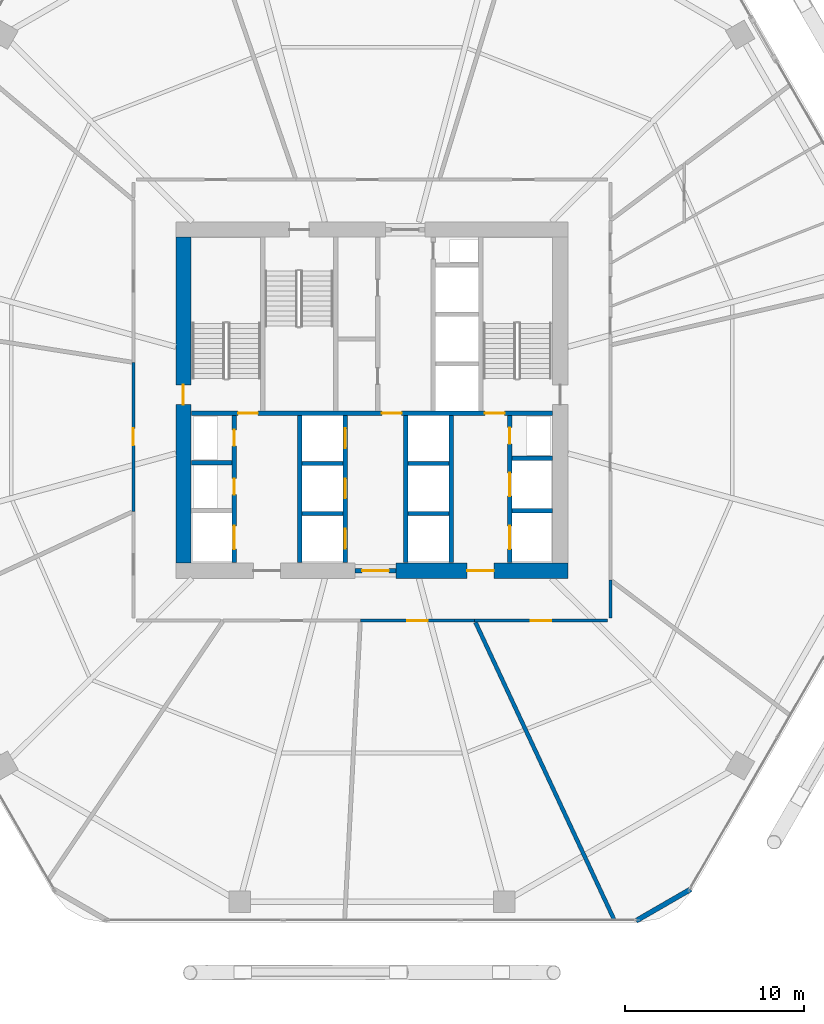
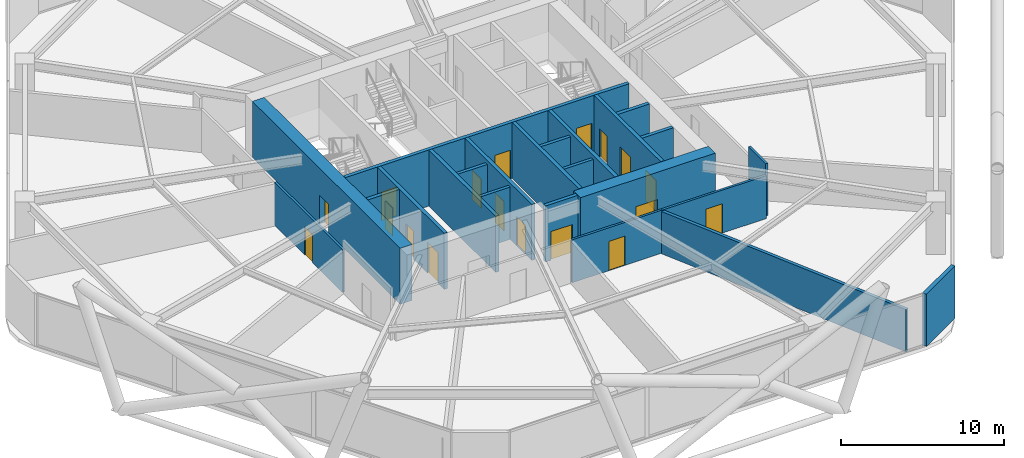
# One storey, part 25 of 28: 23 walls, 18 doors, 18 openings.
"""IFC4 building model written with IfcOpenShell, lengths in metres."""

from ifc_helpers import new_model, si_unit, direction, frame, frame_2d, origin, place, context, subcontext, project, spatial, rectangle, extrude, material, layer, layer_set, type_object, element, fill, save


model = new_model("IFC4")

# Units and contexts
model_context = context("Model", 3, precision=1e-05, world=origin(), true_north=direction((0.0, 1.0)))
body_context = subcontext(model_context, "Body", "Model", "MODEL_VIEW")
ifc_project = project(units=[si_unit("LENGTHUNIT", "METRE"), si_unit("AREAUNIT", "SQUARE_METRE"), si_unit("VOLUMEUNIT", "CUBIC_METRE"), si_unit("PLANEANGLEUNIT", "RADIAN"), si_unit("MASSUNIT", "GRAM", prefix="KILO")], contexts=[model_context])

# Site, building, storey
site_placement = place(None, origin())
site = spatial("IfcSite", under=ifc_project, at=site_placement, CompositionType="ELEMENT")
building_placement = place(site_placement, origin())
building = spatial("IfcBuilding", under=site, at=building_placement, Name="Zuhravey Tower", CompositionType="ELEMENT")
storey_placement = place(building_placement, frame((0.0, 0.0, 49.800048828125)))
storey = spatial("IfcBuildingStorey", under=building, at=storey_placement, Name="L12", CompositionType="ELEMENT", Elevation=49.800048828125)

# Wall, opening, door
ifc_material_1 = material(Name="Concrete C60/75", Category="concrete")
ifc_layer_1 = layer(ifc_material_1, 0.85009765625)
ifc_layer_set_1 = layer_set([ifc_layer_1], Name="Concrete C60/75")
wall_type_1 = type_object("IfcWallType", Name="Core Shear Wall 850", PredefinedType="SHEAR", material=ifc_layer_set_1)
wall_1_placement = place(storey_placement, frame((37.35009765625, 22.5, 0.0), z_axis=(0.0, 0.0, 1.0), x_axis=(1.0, 0.0, 0.0)))
wall_1 = element("IfcWall", 1, at=wall_1_placement, inside=storey, type_object=wall_type_1, Name="L12 South-East Core Shear Wall CW85", PredefinedType="SHEAR", context=body_context, shape_type="SweptSolid", body=[
    extrude(rectangle(XDim=9.574951171875, YDim=0.85009765625, at=frame_2d((4.78759765625, 0.0))), origin(), (0.0, 0.0, 1.0), 4.199951171875),
])
opening_1_placement = place(wall_1_placement, frame((3.949951171875, 0.0, 0.0)))
opening_1 = element("IfcOpeningElement", 2, at=opening_1_placement, cuts=wall_1, Name="Opening FFD1", PredefinedType="OPENING", context=body_context, shape_type="SweptSolid", body=[
    extrude(rectangle(XDim=1.5, YDim=2.14990234375, at=frame_2d((0.75, 1.074951171875))), frame((0.0, 0.43701171875, 0.0), z_axis=(0.0, -1.0, 0.0), x_axis=(1.0, 0.0, 0.0)), (0.0, 0.0, 1.0), 0.8740234375),
])
ifc_material_2 = material(Name="Galvanised fire-rated steel leaf", Category="steel")
door_type_1 = type_object("IfcDoorType", Name="Firefighting Lobby Double Door 1500x2150", OperationType="DOUBLE_DOOR_SINGLE_SWING", PredefinedType="DOOR", material=ifc_material_2)
door_1_placement = place(opening_1_placement, origin())
door_1 = element("IfcDoor", 3, at=door_1_placement, inside=storey, type_object=door_type_1, Name="L12 Firefighting Lobby East Door", OperationType="DOUBLE_DOOR_SINGLE_SWING", OverallHeight=2.14990234375, OverallWidth=1.5, PredefinedType="DOOR", context=body_context, shape_type="SweptSolid", body=[
    extrude(rectangle(XDim=1.5, YDim=2.14990234375, at=frame_2d((0.75, 1.074951171875))), frame((0.0, 0.02490234375, 0.0), z_axis=(0.0, -1.0, 0.0), x_axis=(1.0, 0.0, 0.0)), (0.0, 0.0, 1.0), 0.050048828125),
])
fill(opening_1, door_1)

wall_2_placement = place(storey_placement, frame((25.5, 22.925048828125, 0.0), z_axis=(0.0, 0.0, 1.0), x_axis=(0.0, 1.0, 0.0)))
wall_2 = element("IfcWall", 4, at=wall_2_placement, inside=storey, type_object=wall_type_1, Name="L12 West Core Shear Wall CW85", PredefinedType="SHEAR", context=body_context, shape_type="SweptSolid", body=[
    extrude(rectangle(XDim=18.14990234375, YDim=0.85009765625, at=frame_2d((9.074951171875, 0.0))), origin(), (0.0, 0.0, 1.0), 4.199951171875),
])
opening_2_placement = place(wall_2_placement, frame((8.824951171875, 0.0, 0.0)))
opening_2 = element("IfcOpeningElement", 5, at=opening_2_placement, cuts=wall_2, Name="Opening STD1", PredefinedType="OPENING", context=body_context, shape_type="SweptSolid", body=[
    extrude(rectangle(XDim=1.10009765625, YDim=2.14990234375, at=frame_2d((0.550048828125, 1.074951171875))), frame((0.0, 0.43701171875, 0.0), z_axis=(0.0, -1.0, 0.0), x_axis=(1.0, 0.0, 0.0)), (0.0, 0.0, 1.0), 0.8740234375),
])
door_type_2 = type_object("IfcDoorType", Name="Protected Stair Fire Door 1100x2150", OperationType="NOTDEFINED", PredefinedType="USERDEFINED", material=ifc_material_2)
door_2_placement = place(opening_2_placement, frame((1.10009765625, 0.0, 0.0), z_axis=(0.0, 0.0, 1.0), x_axis=(-1.0, 0.0, 0.0)))
door_2 = element("IfcDoor", 6, at=door_2_placement, inside=storey, type_object=door_type_2, Name="L12 Stair ST1 Door", ObjectType="EXITDOOR", OperationType="SINGLE_SWING_LEFT", OverallHeight=2.14990234375, OverallWidth=1.10009765625, PredefinedType="USERDEFINED", context=body_context, shape_type="SweptSolid", body=[
    extrude(rectangle(XDim=1.10009765625, YDim=2.14990234375, at=frame_2d((0.550048828125, 1.074951171875))), frame((0.0, 0.02490234375, 0.0), z_axis=(0.0, -1.0, 0.0), x_axis=(1.0, 0.0, 0.0)), (0.0, 0.0, 1.0), 0.050048828125),
])
fill(opening_2, door_2)

ifc_material_3 = material(Name="Gypsum fire-rated stud partition")
ifc_layer_2 = layer(ifc_material_3, 0.159912109375)
ifc_layer_set_2 = layer_set([ifc_layer_2], Name="Gypsum fire-rated stud partition")
wall_type_2 = type_object("IfcWallType", Name="Corridor Fire Partition 160", PredefinedType="PARTITIONING", material=ifc_layer_set_2)
wall_3_placement = place(storey_placement, frame((22.715087890625, 34.10400390625, 0.0), z_axis=(0.0, 0.0, 1.0), x_axis=(0.0, -1.0, 0.0)))
wall_3 = element("IfcWall", 7, at=wall_3_placement, inside=storey, type_object=wall_type_2, Name="L12 IW16 Partition 027", PredefinedType="PARTITIONING", context=body_context, shape_type="SweptSolid", body=[
    extrude(rectangle(XDim=8.298828125, YDim=0.159912109375, at=frame_2d((4.1494140625, 0.0))), origin(), (0.0, 0.0, 1.0), 3.219970703125),
])
opening_3_placement = place(wall_3_placement, frame((3.674560546875, 0.0, 0.0)))
opening_3 = element("IfcOpeningElement", 8, at=opening_3_placement, cuts=wall_3, Name="Opening IND1", PredefinedType="OPENING", context=body_context, shape_type="SweptSolid", body=[
    extrude(rectangle(XDim=0.949951171875, YDim=2.10009765625, at=frame_2d((0.47509765625, 1.050048828125))), frame((0.0, 0.092041015625, 0.0), z_axis=(0.0, -1.0, 0.0), x_axis=(1.0, 0.0, 0.0)), (0.0, 0.0, 1.0), 0.183837890625),
])
ifc_material_4 = material(Name="Painted engineered timber leaf", Category="wood")
door_type_3 = type_object("IfcDoorType", Name="Internal Room & Bedroom Door 950x2100", OperationType="NOTDEFINED", PredefinedType="DOOR", material=ifc_material_4)
door_3_placement = place(opening_3_placement, frame((0.949951171875, 0.0, 0.0), z_axis=(0.0, 0.0, 1.0), x_axis=(-1.0, 0.0, 0.0)))
door_3 = element("IfcDoor", 9, at=door_3_placement, inside=storey, type_object=door_type_3, Name="L12 Door 027.1", OperationType="SINGLE_SWING_LEFT", OverallHeight=2.10009765625, OverallWidth=0.949951171875, PredefinedType="DOOR", context=body_context, shape_type="SweptSolid", body=[
    extrude(rectangle(XDim=0.949951171875, YDim=2.10009765625, at=frame_2d((0.47509765625, 1.050048828125))), frame((0.0, 0.02490234375, 0.0), z_axis=(0.0, -1.0, 0.0), x_axis=(1.0, 0.0, 0.0)), (0.0, 0.0, 1.0), 0.050048828125),
])
fill(opening_3, door_3)

wall_4_placement = place(storey_placement, frame((35.356201171875, 19.715087890625, 0.0), z_axis=(0.0, 0.0, 1.0), x_axis=(1.0, 0.0, 0.0)))
wall_4 = element("IfcWall", 10, at=wall_4_placement, inside=storey, type_object=wall_type_2, Name="L12 IW16 Partition 030", PredefinedType="PARTITIONING", context=body_context, shape_type="SweptSolid", body=[
    extrude(rectangle(XDim=6.372314453125, YDim=0.159912109375, at=frame_2d((3.18603515625, 0.0))), origin(), (0.0, 0.0, 1.0), 3.219970703125),
])
opening_4_placement = place(wall_4_placement, frame((2.611083984375, 0.0, 0.0)))
opening_4 = element("IfcOpeningElement", 11, at=opening_4_placement, cuts=wall_4, Name="Opening CLD1", PredefinedType="OPENING", context=body_context, shape_type="SweptSolid", body=[
    extrude(rectangle(XDim=1.14990234375, YDim=2.199951171875, at=frame_2d((0.574951171875, 1.10009765625))), frame((0.0, 0.092041015625, 0.0), z_axis=(0.0, -1.0, 0.0), x_axis=(1.0, 0.0, 0.0)), (0.0, 0.0, 1.0), 0.183837890625),
])
ifc_material_5 = material(Name="Acoustic timber leaf with vision lite", Category="wood")
door_type_4 = type_object("IfcDoorType", Name="Classroom Acoustic Door 1150x2200", OperationType="NOTDEFINED", PredefinedType="DOOR", material=ifc_material_5)
door_4_placement = place(opening_4_placement, frame((1.14990234375, 0.0, 0.0), z_axis=(0.0, 0.0, 1.0), x_axis=(-1.0, 0.0, 0.0)))
door_4 = element("IfcDoor", 12, at=door_4_placement, inside=storey, type_object=door_type_4, Name="L12 Door 030.1", OperationType="SINGLE_SWING_RIGHT", OverallHeight=2.199951171875, OverallWidth=1.14990234375, PredefinedType="DOOR", context=body_context, shape_type="SweptSolid", body=[
    extrude(rectangle(XDim=1.14990234375, YDim=2.199951171875, at=frame_2d((0.574951171875, 1.10009765625))), frame((0.0, 0.02490234375, 0.0), z_axis=(0.0, -1.0, 0.0), x_axis=(1.0, 0.0, 0.0)), (0.0, 0.0, 1.0), 0.050048828125),
])
fill(opening_4, door_4)

wall_5_placement = place(storey_placement, frame((41.728515625, 19.715087890625, 0.0), z_axis=(0.0, 0.0, 1.0), x_axis=(1.0, 0.0, 0.0)))
wall_5 = element("IfcWall", 13, at=wall_5_placement, inside=storey, type_object=wall_type_2, Name="L12 IW16 Partition 031", PredefinedType="PARTITIONING", context=body_context, shape_type="SweptSolid", body=[
    extrude(rectangle(XDim=7.396484375, YDim=0.159912109375, at=frame_2d((3.6982421875, 0.0))), origin(), (0.0, 0.0, 1.0), 3.219970703125),
])
opening_5_placement = place(wall_5_placement, frame((3.123291015625, 0.0, 0.0)))
opening_5 = element("IfcOpeningElement", 14, at=opening_5_placement, cuts=wall_5, Name="Opening CLD1", PredefinedType="OPENING", context=body_context, shape_type="SweptSolid", body=[
    extrude(rectangle(XDim=1.14990234375, YDim=2.199951171875, at=frame_2d((0.574951171875, 1.10009765625))), frame((0.0, 0.092041015625, 0.0), z_axis=(0.0, -1.0, 0.0), x_axis=(1.0, 0.0, 0.0)), (0.0, 0.0, 1.0), 0.183837890625),
])
door_5_placement = place(opening_5_placement, frame((1.14990234375, 0.0, 0.0), z_axis=(0.0, 0.0, 1.0), x_axis=(-1.0, 0.0, 0.0)))
door_5 = element("IfcDoor", 15, at=door_5_placement, inside=storey, type_object=door_type_4, Name="L12 Door 031.1", OperationType="SINGLE_SWING_LEFT", OverallHeight=2.199951171875, OverallWidth=1.14990234375, PredefinedType="DOOR", context=body_context, shape_type="SweptSolid", body=[
    extrude(rectangle(XDim=1.14990234375, YDim=2.199951171875, at=frame_2d((0.574951171875, 1.10009765625))), frame((0.0, 0.02490234375, 0.0), z_axis=(0.0, -1.0, 0.0), x_axis=(1.0, 0.0, 0.0)), (0.0, 0.0, 1.0), 0.050048828125),
])
fill(opening_5, door_5)

# Walls
wall_6_placement = place(storey_placement, frame((49.284912109375, 19.875, 0.0), z_axis=(0.0, 0.0, 1.0), x_axis=(0.0, 1.0, 0.0)))
element("IfcWall", 16, at=wall_6_placement, inside=storey, type_object=wall_type_2, Name="L12 IW16 Partition 058", PredefinedType="PARTITIONING", context=body_context, shape_type="SweptSolid", body=[
    extrude(rectangle(XDim=2.114013671875, YDim=0.159912109375, at=frame_2d((1.05712890625, 0.0))), origin(), (0.0, 0.0, 1.0), 3.919921875),
])
ifc_material_6 = material(Name="Precast concrete C40/50", Category="concrete")
ifc_layer_3 = layer(ifc_material_6, 0.280029296875)
ifc_layer_set_3 = layer_set([ifc_layer_3], Name="Precast concrete C40/50")
wall_type_3 = type_object("IfcWallType", Name="Crown Architectural Wall 280", PredefinedType="SOLIDWALL", material=ifc_layer_set_3)
wall_7_placement = place(storey_placement, frame((53.76123046875, 4.75146484375, 0.0), z_axis=(0.0, 0.0, 1.0), x_axis=(-0.866007452331, -0.500031091541, 0.0)))
element("IfcWall", 17, at=wall_7_placement, inside=storey, type_object=wall_type_3, Name="L12 Rounded Corner Closure Wall EW28-02", PredefinedType="SOLIDWALL", context=body_context, shape_type="SweptSolid", body=[
    extrude(rectangle(XDim=3.514892578125, YDim=0.280029296875, at=frame_2d((1.75732421875, 0.0))), origin(), (0.0, 0.0, 1.0), 3.919921875),
])

# Wall, opening, door
ifc_material_7 = material(Name="Concrete C50/60", Category="concrete")
ifc_layer_4 = layer(ifc_material_7, 0.25)
ifc_layer_set_4 = layer_set([ifc_layer_4], Name="Concrete C50/60")
wall_type_4 = type_object("IfcWallType", Name="Firefighting Shaft & Stair Wall 250", PredefinedType="SOLIDWALL", material=ifc_layer_set_4)
wall_8_placement = place(storey_placement, frame((35.06005859375, 22.5, 0.0), z_axis=(0.0, 0.0, 1.0), x_axis=(1.0, 0.0, 0.0)))
wall_8 = element("IfcWall", 18, at=wall_8_placement, inside=storey, type_object=wall_type_4, Name="L12 FW25 Shaft Wall 001", PredefinedType="SOLIDWALL", context=body_context, shape_type="SweptSolid", body=[
    extrude(rectangle(XDim=2.280029296875, YDim=0.25, at=frame_2d((1.14013671875, 0.0))), origin(), (0.0, 0.0, 1.0), 4.199951171875),
])
opening_6_placement = place(wall_8_placement, frame((0.389892578125, 0.0, 0.0)))
opening_6 = element("IfcOpeningElement", 19, at=opening_6_placement, cuts=wall_8, Name="Opening FFD1", PredefinedType="OPENING", context=body_context, shape_type="SweptSolid", body=[
    extrude(rectangle(XDim=1.5, YDim=2.14990234375, at=frame_2d((0.75, 1.074951171875))), frame((0.0, 0.136962890625, 0.0), z_axis=(0.0, -1.0, 0.0), x_axis=(1.0, 0.0, 0.0)), (0.0, 0.0, 1.0), 0.27392578125),
])
door_6_placement = place(opening_6_placement, frame((1.5, 0.0, 0.0), z_axis=(0.0, 0.0, 1.0), x_axis=(-1.0, 0.0, 0.0)))
door_6 = element("IfcDoor", 20, at=door_6_placement, inside=storey, type_object=door_type_1, Name="L12 South Lift Lobby Exit Door", OperationType="DOUBLE_DOOR_SINGLE_SWING", OverallHeight=2.14990234375, OverallWidth=1.5, PredefinedType="DOOR", context=body_context, shape_type="SweptSolid", body=[
    extrude(rectangle(XDim=1.5, YDim=2.14990234375, at=frame_2d((0.75, 1.074951171875))), frame((0.0, 0.02490234375, 0.0), z_axis=(0.0, -1.0, 0.0), x_axis=(1.0, 0.0, 0.0)), (0.0, 0.0, 1.0), 0.050048828125),
])
fill(opening_6, door_6)

# Wall, openings, doors
wall_9_placement = place(storey_placement, frame((25.949951171875, 31.27490234375, 0.0), z_axis=(0.0, 0.0, 1.0), x_axis=(1.0, 0.0, 0.0)))
wall_9 = element("IfcWall", 21, at=wall_9_placement, inside=storey, type_object=wall_type_4, Name="L12 FW25 Shaft Wall 003", PredefinedType="SOLIDWALL", context=body_context, shape_type="SweptSolid", body=[
    extrude(rectangle(XDim=20.10009765625, YDim=0.25, at=frame_2d((10.050048828125, 0.0))), origin(), (0.0, 0.0, 1.0), 4.199951171875),
])
opening_7_placement = place(wall_9_placement, frame((2.60009765625, 0.0, 0.0)))
opening_7 = element("IfcOpeningElement", 22, at=opening_7_placement, cuts=wall_9, Name="Opening STD1", PredefinedType="OPENING", context=body_context, shape_type="SweptSolid", body=[
    extrude(rectangle(XDim=1.10009765625, YDim=2.14990234375, at=frame_2d((0.550048828125, 1.074951171875))), frame((0.0, 0.136962890625, 0.0), z_axis=(0.0, -1.0, 0.0), x_axis=(1.0, 0.0, 0.0)), (0.0, 0.0, 1.0), 0.27392578125),
])
opening_8_placement = place(wall_9_placement, frame((10.60009765625, 0.0, 0.0)))
opening_8 = element("IfcOpeningElement", 23, at=opening_8_placement, cuts=wall_9, Name="Opening STD1", PredefinedType="OPENING", context=body_context, shape_type="SweptSolid", body=[
    extrude(rectangle(XDim=1.10009765625, YDim=2.14990234375, at=frame_2d((0.550048828125, 1.074951171875))), frame((0.0, 0.136962890625, 0.0), z_axis=(0.0, -1.0, 0.0), x_axis=(1.0, 0.0, 0.0)), (0.0, 0.0, 1.0), 0.27392578125),
])
opening_9_placement = place(wall_9_placement, frame((16.35009765625, 0.0, 0.0)))
opening_9 = element("IfcOpeningElement", 24, at=opening_9_placement, cuts=wall_9, Name="Opening STD1", PredefinedType="OPENING", context=body_context, shape_type="SweptSolid", body=[
    extrude(rectangle(XDim=1.10009765625, YDim=2.14990234375, at=frame_2d((0.550048828125, 1.074951171875))), frame((0.0, 0.136962890625, 0.0), z_axis=(0.0, -1.0, 0.0), x_axis=(1.0, 0.0, 0.0)), (0.0, 0.0, 1.0), 0.27392578125),
])
door_7_placement = place(opening_7_placement, origin())
door_7 = element("IfcDoor", 25, at=door_7_placement, inside=storey, type_object=door_type_2, Name="L12 FFL-W to ST1 Door", ObjectType="EXITDOOR", OperationType="SINGLE_SWING_RIGHT", OverallHeight=2.14990234375, OverallWidth=1.10009765625, PredefinedType="USERDEFINED", context=body_context, shape_type="SweptSolid", body=[
    extrude(rectangle(XDim=1.10009765625, YDim=2.14990234375, at=frame_2d((0.550048828125, 1.074951171875))), frame((0.0, 0.02490234375, 0.0), z_axis=(0.0, -1.0, 0.0), x_axis=(1.0, 0.0, 0.0)), (0.0, 0.0, 1.0), 0.050048828125),
])
fill(opening_7, door_7)
door_8_placement = place(opening_8_placement, origin())
door_8 = element("IfcDoor", 26, at=door_8_placement, inside=storey, type_object=door_type_2, Name="L12 Core Lobby Link Door", ObjectType="EXITDOOR", OperationType="SINGLE_SWING_LEFT", OverallHeight=2.14990234375, OverallWidth=1.10009765625, PredefinedType="USERDEFINED", context=body_context, shape_type="SweptSolid", body=[
    extrude(rectangle(XDim=1.10009765625, YDim=2.14990234375, at=frame_2d((0.550048828125, 1.074951171875))), frame((0.0, 0.02490234375, 0.0), z_axis=(0.0, -1.0, 0.0), x_axis=(1.0, 0.0, 0.0)), (0.0, 0.0, 1.0), 0.050048828125),
])
fill(opening_8, door_8)
door_9_placement = place(opening_9_placement, origin())
door_9 = element("IfcDoor", 27, at=door_9_placement, inside=storey, type_object=door_type_2, Name="L12 FFL-E to ST2 Door", ObjectType="EXITDOOR", OperationType="SINGLE_SWING_RIGHT", OverallHeight=2.14990234375, OverallWidth=1.10009765625, PredefinedType="USERDEFINED", context=body_context, shape_type="SweptSolid", body=[
    extrude(rectangle(XDim=1.10009765625, YDim=2.14990234375, at=frame_2d((0.550048828125, 1.074951171875))), frame((0.0, 0.02490234375, 0.0), z_axis=(0.0, -1.0, 0.0), x_axis=(1.0, 0.0, 0.0)), (0.0, 0.0, 1.0), 0.050048828125),
])
fill(opening_9, door_9)

# Wall
wall_10_placement = place(storey_placement, frame((25.949951171875, 28.52490234375, 0.0), z_axis=(0.0, 0.0, 1.0), x_axis=(1.0, 0.0, 0.0)))
element("IfcWall", 28, at=wall_10_placement, inside=storey, type_object=wall_type_4, Name="L12 FW25 Shaft Wall 010", PredefinedType="SOLIDWALL", context=body_context, shape_type="SweptSolid", body=[
    extrude(rectangle(XDim=2.25, YDim=0.25, at=frame_2d((1.125, 0.0))), origin(), (0.0, 0.0, 1.0), 4.199951171875),
])

# Wall, openings, doors
wall_11_placement = place(storey_placement, frame((28.324951171875, 22.949951171875, 0.0), z_axis=(0.0, 0.0, 1.0), x_axis=(0.0, 1.0, 0.0)))
wall_11 = element("IfcWall", 29, at=wall_11_placement, inside=storey, type_object=wall_type_4, Name="L12 FW25 Shaft Wall 011", PredefinedType="SOLIDWALL", context=body_context, shape_type="SweptSolid", body=[
    extrude(rectangle(XDim=8.199951171875, YDim=0.25, at=frame_2d((4.10009765625, 0.0))), origin(), (0.0, 0.0, 1.0), 4.199951171875),
])
opening_10_placement = place(wall_11_placement, frame((0.75, 0.0, 0.0)))
opening_10 = element("IfcOpeningElement", 30, at=opening_10_placement, cuts=wall_11, Name="Opening LD2", PredefinedType="OPENING", context=body_context, shape_type="SweptSolid", body=[
    extrude(rectangle(XDim=1.300048828125, YDim=2.300048828125, at=frame_2d((0.64990234375, 1.14990234375))), frame((0.0, 0.136962890625, 0.0), z_axis=(0.0, -1.0, 0.0), x_axis=(1.0, 0.0, 0.0)), (0.0, 0.0, 1.0), 0.27392578125),
])
opening_11_placement = place(wall_11_placement, frame((3.780029296875, 0.0, 0.0)))
opening_11 = element("IfcOpeningElement", 31, at=opening_11_placement, cuts=wall_11, Name="Opening RSD1", PredefinedType="OPENING", context=body_context, shape_type="SweptSolid", body=[
    extrude(rectangle(XDim=0.89990234375, YDim=2.10009765625, at=frame_2d((0.449951171875, 1.050048828125))), frame((0.0, 0.136962890625, 0.0), z_axis=(0.0, -1.0, 0.0), x_axis=(1.0, 0.0, 0.0)), (0.0, 0.0, 1.0), 0.27392578125),
])
opening_12_placement = place(wall_11_placement, frame((6.5, 0.0, 0.0)))
opening_12 = element("IfcOpeningElement", 32, at=opening_12_placement, cuts=wall_11, Name="Opening RSD1", PredefinedType="OPENING", context=body_context, shape_type="SweptSolid", body=[
    extrude(rectangle(XDim=0.89990234375, YDim=2.10009765625, at=frame_2d((0.449951171875, 1.050048828125))), frame((0.0, 0.136962890625, 0.0), z_axis=(0.0, -1.0, 0.0), x_axis=(1.0, 0.0, 0.0)), (0.0, 0.0, 1.0), 0.27392578125),
])
ifc_material_8 = material(Name="Brushed stainless steel", Category="steel")
door_type_5 = type_object("IfcDoorType", Name="Freight & Stretcher Lift Sliding Door 1300x2300", OperationType="DOUBLE_DOOR_SLIDING", PredefinedType="DOOR", material=ifc_material_8)
door_10_placement = place(opening_10_placement, frame((1.300048828125, 0.0, 0.0), z_axis=(0.0, 0.0, 1.0), x_axis=(-1.0, 0.0, 0.0)))
door_10 = element("IfcDoor", 33, at=door_10_placement, inside=storey, type_object=door_type_5, Name="L12 Lift FF1 Landing Door", OperationType="DOUBLE_DOOR_SLIDING", OverallHeight=2.300048828125, OverallWidth=1.300048828125, PredefinedType="DOOR", context=body_context, shape_type="SweptSolid", body=[
    extrude(rectangle(XDim=1.300048828125, YDim=2.300048828125, at=frame_2d((0.64990234375, 1.14990234375))), frame((0.0, 0.02490234375, 0.0), z_axis=(0.0, -1.0, 0.0), x_axis=(1.0, 0.0, 0.0)), (0.0, 0.0, 1.0), 0.050048828125),
])
fill(opening_10, door_10)
ifc_material_9 = material(Name="Galvanised fire-rated steel access leaf", Category="steel")
door_type_6 = type_object("IfcDoorType", Name="Riser & Shaft Access Fire Door 900x2100", OperationType="NOTDEFINED", PredefinedType="DOOR", material=ifc_material_9)
door_11_placement = place(opening_11_placement, frame((0.89990234375, 0.0, 0.0), z_axis=(0.0, 0.0, 1.0), x_axis=(-1.0, 0.0, 0.0)))
door_11 = element("IfcDoor", 34, at=door_11_placement, inside=storey, type_object=door_type_6, Name="L12 Electrical Riser Door", OperationType="SINGLE_SWING_RIGHT", OverallHeight=2.10009765625, OverallWidth=0.89990234375, PredefinedType="DOOR", context=body_context, shape_type="SweptSolid", body=[
    extrude(rectangle(XDim=0.89990234375, YDim=2.10009765625, at=frame_2d((0.449951171875, 1.050048828125))), frame((0.0, 0.02490234375, 0.0), z_axis=(0.0, -1.0, 0.0), x_axis=(1.0, 0.0, 0.0)), (0.0, 0.0, 1.0), 0.050048828125),
])
fill(opening_11, door_11)
door_12_placement = place(opening_12_placement, frame((0.89990234375, 0.0, 0.0), z_axis=(0.0, 0.0, 1.0), x_axis=(-1.0, 0.0, 0.0)))
door_12 = element("IfcDoor", 35, at=door_12_placement, inside=storey, type_object=door_type_6, Name="L12 Smoke Shaft Access Door", OperationType="SINGLE_SWING_LEFT", OverallHeight=2.10009765625, OverallWidth=0.89990234375, PredefinedType="DOOR", context=body_context, shape_type="SweptSolid", body=[
    extrude(rectangle(XDim=0.89990234375, YDim=2.10009765625, at=frame_2d((0.449951171875, 1.050048828125))), frame((0.0, 0.02490234375, 0.0), z_axis=(0.0, -1.0, 0.0), x_axis=(1.0, 0.0, 0.0)), (0.0, 0.0, 1.0), 0.050048828125),
])
fill(opening_12, door_12)

# Wall
wall_12_placement = place(storey_placement, frame((31.97509765625, 22.949951171875, 0.0), z_axis=(0.0, 0.0, 1.0), x_axis=(0.0, 1.0, 0.0)))
element("IfcWall", 36, at=wall_12_placement, inside=storey, type_object=wall_type_4, Name="L12 FW25 Shaft Wall 012", PredefinedType="SOLIDWALL", context=body_context, shape_type="SweptSolid", body=[
    extrude(rectangle(XDim=8.199951171875, YDim=0.25, at=frame_2d((4.10009765625, 0.0))), origin(), (0.0, 0.0, 1.0), 4.199951171875),
])

# Wall, openings, doors
wall_13_placement = place(storey_placement, frame((34.52490234375, 22.949951171875, 0.0), z_axis=(0.0, 0.0, 1.0), x_axis=(0.0, 1.0, 0.0)))
wall_13 = element("IfcWall", 37, at=wall_13_placement, inside=storey, type_object=wall_type_4, Name="L12 FW25 Shaft Wall 013", PredefinedType="SOLIDWALL", context=body_context, shape_type="SweptSolid", body=[
    extrude(rectangle(XDim=8.199951171875, YDim=0.25, at=frame_2d((4.10009765625, 0.0))), origin(), (0.0, 0.0, 1.0), 4.199951171875),
])
opening_13_placement = place(wall_13_placement, frame((0.77490234375, 0.0, 0.0)))
opening_13 = element("IfcOpeningElement", 38, at=opening_13_placement, cuts=wall_13, Name="Opening LD1", PredefinedType="OPENING", context=body_context, shape_type="SweptSolid", body=[
    extrude(rectangle(XDim=1.10009765625, YDim=2.199951171875, at=frame_2d((0.550048828125, 1.10009765625))), frame((0.0, 0.136962890625, 0.0), z_axis=(0.0, -1.0, 0.0), x_axis=(1.0, 0.0, 0.0)), (0.0, 0.0, 1.0), 0.27392578125),
])
opening_14_placement = place(wall_13_placement, frame((3.574951171875, 0.0, 0.0)))
opening_14 = element("IfcOpeningElement", 39, at=opening_14_placement, cuts=wall_13, Name="Opening LD1", PredefinedType="OPENING", context=body_context, shape_type="SweptSolid", body=[
    extrude(rectangle(XDim=1.10009765625, YDim=2.199951171875, at=frame_2d((0.550048828125, 1.10009765625))), frame((0.0, 0.136962890625, 0.0), z_axis=(0.0, -1.0, 0.0), x_axis=(1.0, 0.0, 0.0)), (0.0, 0.0, 1.0), 0.27392578125),
])
opening_15_placement = place(wall_13_placement, frame((6.375, 0.0, 0.0)))
opening_15 = element("IfcOpeningElement", 40, at=opening_15_placement, cuts=wall_13, Name="Opening LD1", PredefinedType="OPENING", context=body_context, shape_type="SweptSolid", body=[
    extrude(rectangle(XDim=1.10009765625, YDim=2.199951171875, at=frame_2d((0.550048828125, 1.10009765625))), frame((0.0, 0.136962890625, 0.0), z_axis=(0.0, -1.0, 0.0), x_axis=(1.0, 0.0, 0.0)), (0.0, 0.0, 1.0), 0.27392578125),
])
door_type_7 = type_object("IfcDoorType", Name="Lift Landing Sliding Door 1100x2200", OperationType="DOUBLE_DOOR_SLIDING", PredefinedType="DOOR", material=ifc_material_8)
door_13_placement = place(opening_13_placement, frame((1.10009765625, 0.0, 0.0), z_axis=(0.0, 0.0, 1.0), x_axis=(-1.0, 0.0, 0.0)))
door_13 = element("IfcDoor", 41, at=door_13_placement, inside=storey, type_object=door_type_7, Name="L12 Lift PL1 Landing Door", OperationType="DOUBLE_DOOR_SLIDING", OverallHeight=2.199951171875, OverallWidth=1.10009765625, PredefinedType="DOOR", context=body_context, shape_type="SweptSolid", body=[
    extrude(rectangle(XDim=1.10009765625, YDim=2.199951171875, at=frame_2d((0.550048828125, 1.10009765625))), frame((0.0, 0.02490234375, 0.0), z_axis=(0.0, -1.0, 0.0), x_axis=(1.0, 0.0, 0.0)), (0.0, 0.0, 1.0), 0.050048828125),
])
fill(opening_13, door_13)
door_14_placement = place(opening_14_placement, frame((1.10009765625, 0.0, 0.0), z_axis=(0.0, 0.0, 1.0), x_axis=(-1.0, 0.0, 0.0)))
door_14 = element("IfcDoor", 42, at=door_14_placement, inside=storey, type_object=door_type_7, Name="L12 Lift PL2 Landing Door", OperationType="DOUBLE_DOOR_SLIDING", OverallHeight=2.199951171875, OverallWidth=1.10009765625, PredefinedType="DOOR", context=body_context, shape_type="SweptSolid", body=[
    extrude(rectangle(XDim=1.10009765625, YDim=2.199951171875, at=frame_2d((0.550048828125, 1.10009765625))), frame((0.0, 0.02490234375, 0.0), z_axis=(0.0, -1.0, 0.0), x_axis=(1.0, 0.0, 0.0)), (0.0, 0.0, 1.0), 0.050048828125),
])
fill(opening_14, door_14)
door_15_placement = place(opening_15_placement, frame((1.10009765625, 0.0, 0.0), z_axis=(0.0, 0.0, 1.0), x_axis=(-1.0, 0.0, 0.0)))
door_15 = element("IfcDoor", 43, at=door_15_placement, inside=storey, type_object=door_type_7, Name="L12 Lift PL3 Landing Door", OperationType="DOUBLE_DOOR_SLIDING", OverallHeight=2.199951171875, OverallWidth=1.10009765625, PredefinedType="DOOR", context=body_context, shape_type="SweptSolid", body=[
    extrude(rectangle(XDim=1.10009765625, YDim=2.199951171875, at=frame_2d((0.550048828125, 1.10009765625))), frame((0.0, 0.02490234375, 0.0), z_axis=(0.0, -1.0, 0.0), x_axis=(1.0, 0.0, 0.0)), (0.0, 0.0, 1.0), 0.050048828125),
])
fill(opening_15, door_15)

# Walls
for number, where, z_axis, x_axis, name in (
    (44, (37.875, 22.949951171875, 0.0), (0.0, 0.0, 1.0), (0.0, 1.0, 0.0), "L12 FW25 Shaft Wall 014"),
    (45, (40.425048828125, 22.949951171875, 0.0), (0.0, 0.0, 1.0), (0.0, 1.0, 0.0), "L12 FW25 Shaft Wall 015"),
):
    element("IfcWall", number, at=place(storey_placement, frame(where, z_axis=z_axis, x_axis=x_axis)), inside=storey, type_object=wall_type_4, Name=name, PredefinedType="SOLIDWALL", context=body_context, shape_type="SweptSolid", body=[
        extrude(rectangle(XDim=8.199951171875, YDim=0.25, at=frame_2d((4.10009765625, 0.0))), origin(), (0.0, 0.0, 1.0), 4.199951171875),
    ])
for number, where, z_axis, x_axis, name in (
    (46, (43.800048828125, 25.824951171875, 0.0), (0.0, 0.0, 1.0), (1.0, 0.0, 0.0), "L12 FW25 Shaft Wall 016"),
    (47, (43.800048828125, 28.77490234375, 0.0), (0.0, 0.0, 1.0), (1.0, 0.0, 0.0), "L12 FW25 Shaft Wall 017"),
):
    element("IfcWall", number, at=place(storey_placement, frame(where, z_axis=z_axis, x_axis=x_axis)), inside=storey, type_object=wall_type_4, Name=name, PredefinedType="SOLIDWALL", context=body_context, shape_type="SweptSolid", body=[
        extrude(rectangle(XDim=2.25, YDim=0.25, at=frame_2d((1.125, 0.0))), origin(), (0.0, 0.0, 1.0), 4.199951171875),
    ])

# Wall, openings, doors
wall_14_placement = place(storey_placement, frame((43.675048828125, 22.949951171875, 0.0), z_axis=(0.0, 0.0, 1.0), x_axis=(0.0, 1.0, 0.0)))
wall_14 = element("IfcWall", 48, at=wall_14_placement, inside=storey, type_object=wall_type_4, Name="L12 FW25 Shaft Wall 018", PredefinedType="SOLIDWALL", context=body_context, shape_type="SweptSolid", body=[
    extrude(rectangle(XDim=8.199951171875, YDim=0.25, at=frame_2d((4.10009765625, 0.0))), origin(), (0.0, 0.0, 1.0), 4.199951171875),
])
opening_16_placement = place(wall_14_placement, frame((0.75, 0.0, 0.0)))
opening_16 = element("IfcOpeningElement", 49, at=opening_16_placement, cuts=wall_14, Name="Opening LD2", PredefinedType="OPENING", context=body_context, shape_type="SweptSolid", body=[
    extrude(rectangle(XDim=1.300048828125, YDim=2.300048828125, at=frame_2d((0.64990234375, 1.14990234375))), frame((0.0, 0.136962890625, 0.0), z_axis=(0.0, -1.0, 0.0), x_axis=(1.0, 0.0, 0.0)), (0.0, 0.0, 1.0), 0.27392578125),
])
opening_17_placement = place(wall_14_placement, frame((3.699951171875, 0.0, 0.0)))
opening_17 = element("IfcOpeningElement", 50, at=opening_17_placement, cuts=wall_14, Name="Opening LD2", PredefinedType="OPENING", context=body_context, shape_type="SweptSolid", body=[
    extrude(rectangle(XDim=1.300048828125, YDim=2.300048828125, at=frame_2d((0.64990234375, 1.14990234375))), frame((0.0, 0.136962890625, 0.0), z_axis=(0.0, -1.0, 0.0), x_axis=(1.0, 0.0, 0.0)), (0.0, 0.0, 1.0), 0.27392578125),
])
opening_18_placement = place(wall_14_placement, frame((6.6201171875, 0.0, 0.0)))
opening_18 = element("IfcOpeningElement", 51, at=opening_18_placement, cuts=wall_14, Name="Opening RSD1", PredefinedType="OPENING", context=body_context, shape_type="SweptSolid", body=[
    extrude(rectangle(XDim=0.89990234375, YDim=2.10009765625, at=frame_2d((0.449951171875, 1.050048828125))), frame((0.0, 0.136962890625, 0.0), z_axis=(0.0, -1.0, 0.0), x_axis=(1.0, 0.0, 0.0)), (0.0, 0.0, 1.0), 0.27392578125),
])
door_16_placement = place(opening_16_placement, origin())
door_16 = element("IfcDoor", 52, at=door_16_placement, inside=storey, type_object=door_type_5, Name="L12 Lift FF2 Landing Door", OperationType="DOUBLE_DOOR_SLIDING", OverallHeight=2.300048828125, OverallWidth=1.300048828125, PredefinedType="DOOR", context=body_context, shape_type="SweptSolid", body=[
    extrude(rectangle(XDim=1.300048828125, YDim=2.300048828125, at=frame_2d((0.64990234375, 1.14990234375))), frame((0.0, 0.02490234375, 0.0), z_axis=(0.0, -1.0, 0.0), x_axis=(1.0, 0.0, 0.0)), (0.0, 0.0, 1.0), 0.050048828125),
])
fill(opening_16, door_16)
door_17_placement = place(opening_17_placement, origin())
door_17 = element("IfcDoor", 53, at=door_17_placement, inside=storey, type_object=door_type_5, Name="L12 Lift SV1 Landing Door", OperationType="DOUBLE_DOOR_SLIDING", OverallHeight=2.300048828125, OverallWidth=1.300048828125, PredefinedType="DOOR", context=body_context, shape_type="SweptSolid", body=[
    extrude(rectangle(XDim=1.300048828125, YDim=2.300048828125, at=frame_2d((0.64990234375, 1.14990234375))), frame((0.0, 0.02490234375, 0.0), z_axis=(0.0, -1.0, 0.0), x_axis=(1.0, 0.0, 0.0)), (0.0, 0.0, 1.0), 0.050048828125),
])
fill(opening_17, door_17)
door_18_placement = place(opening_18_placement, origin())
door_18 = element("IfcDoor", 54, at=door_18_placement, inside=storey, type_object=door_type_6, Name="L12 Plumbing Riser Door", OperationType="SINGLE_SWING_RIGHT", OverallHeight=2.10009765625, OverallWidth=0.89990234375, PredefinedType="DOOR", context=body_context, shape_type="SweptSolid", body=[
    extrude(rectangle(XDim=0.89990234375, YDim=2.10009765625, at=frame_2d((0.449951171875, 1.050048828125))), frame((0.0, 0.02490234375, 0.0), z_axis=(0.0, -1.0, 0.0), x_axis=(1.0, 0.0, 0.0)), (0.0, 0.0, 1.0), 0.050048828125),
])
fill(opening_18, door_18)

# Walls
ifc_material_10 = material(Name="Gypsum acoustic stud assembly")
ifc_layer_5 = layer(ifc_material_10, 0.219970703125)
ifc_layer_set_5 = layer_set([ifc_layer_5], Name="Gypsum acoustic stud assembly")
wall_type_5 = type_object("IfcWallType", Name="School Acoustic Compartment Wall 220", PredefinedType="PARTITIONING", material=ifc_layer_set_5)
for number, where, z_axis, x_axis, name in (
    (55, (32.10791015625, 25.675048828125, 0.0), (0.0, 0.0, 1.0), (1.0, 0.0, 0.0), "L12 IW22 Partition 037"),
    (56, (32.10791015625, 28.47509765625, 0.0), (0.0, 0.0, 1.0), (1.0, 0.0, 0.0), "L12 IW22 Partition 038"),
):
    element("IfcWall", number, at=place(storey_placement, frame(where, z_axis=z_axis, x_axis=x_axis)), inside=storey, type_object=wall_type_5, Name=name, PredefinedType="PARTITIONING", context=body_context, shape_type="SweptSolid", body=[
        extrude(rectangle(XDim=2.2841796875, YDim=0.219970703125, at=frame_2d((1.14208984375, 0.0))), origin(), (0.0, 0.0, 1.0), 3.919921875),
    ])
for number, where, z_axis, x_axis, name in (
    (57, (38.008056640625, 25.675048828125, 0.0), (0.0, 0.0, 1.0), (1.0, 0.0, 0.0), "L12 IW22 Partition 039"),
    (58, (38.008056640625, 28.47509765625, 0.0), (0.0, 0.0, 1.0), (1.0, 0.0, 0.0), "L12 IW22 Partition 040"),
):
    element("IfcWall", number, at=place(storey_placement, frame(where, z_axis=z_axis, x_axis=x_axis)), inside=storey, type_object=wall_type_5, Name=name, PredefinedType="PARTITIONING", context=body_context, shape_type="SweptSolid", body=[
        extrude(rectangle(XDim=2.283935546875, YDim=0.219970703125, at=frame_2d((1.14208984375, 0.0))), origin(), (0.0, 0.0, 1.0), 3.919921875),
    ])
wall_15_placement = place(storey_placement, frame((41.769775390625, 19.626953125, 0.0), z_axis=(0.0, 0.0, 1.0), x_axis=(0.422616678834, -0.906308525156, 0.0)))
element("IfcWall", 59, at=wall_15_placement, inside=storey, type_object=wall_type_5, Name="L12 IW22 Partition 057", PredefinedType="PARTITIONING", context=body_context, shape_type="SweptSolid", body=[
    extrude(rectangle(XDim=18.300048828125, YDim=0.219970703125, at=frame_2d((9.14990234375, 0.0))), origin(), (0.0, 0.0, 1.0), 3.169921875),
])

save(model, "model.ifc")
